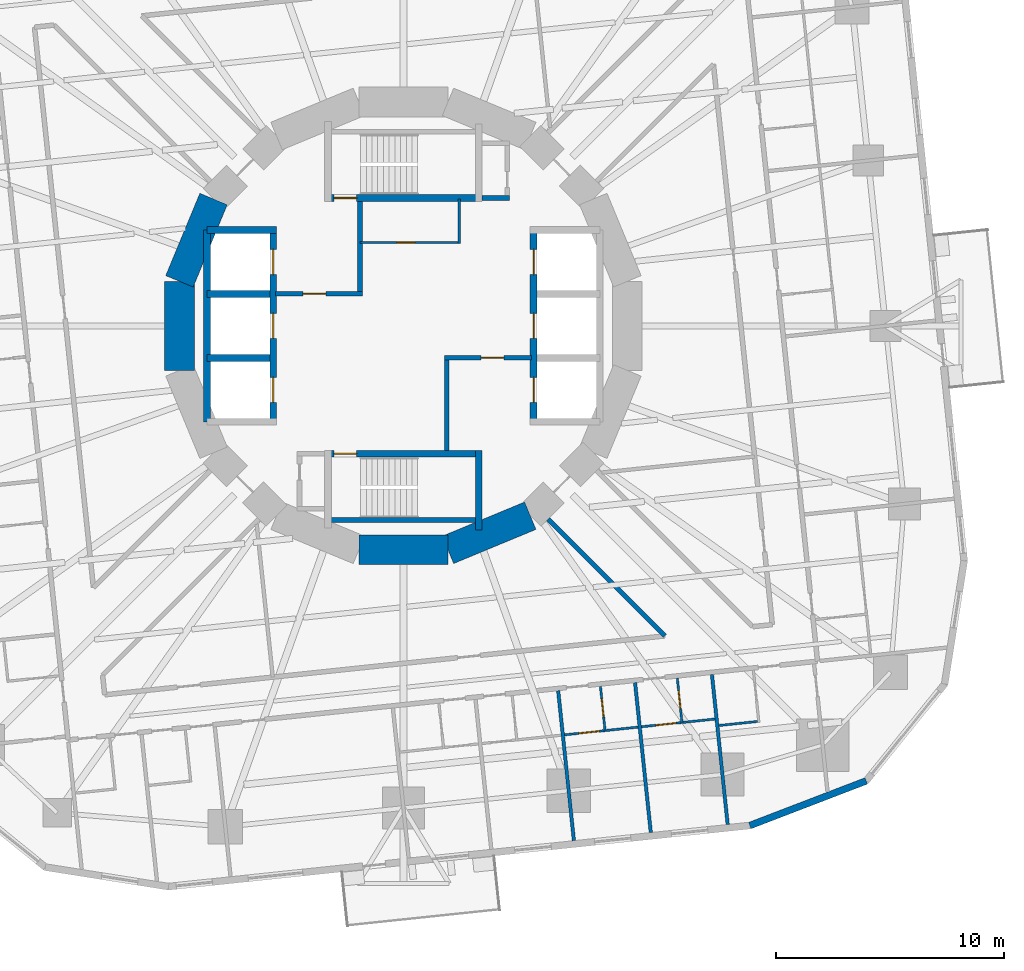
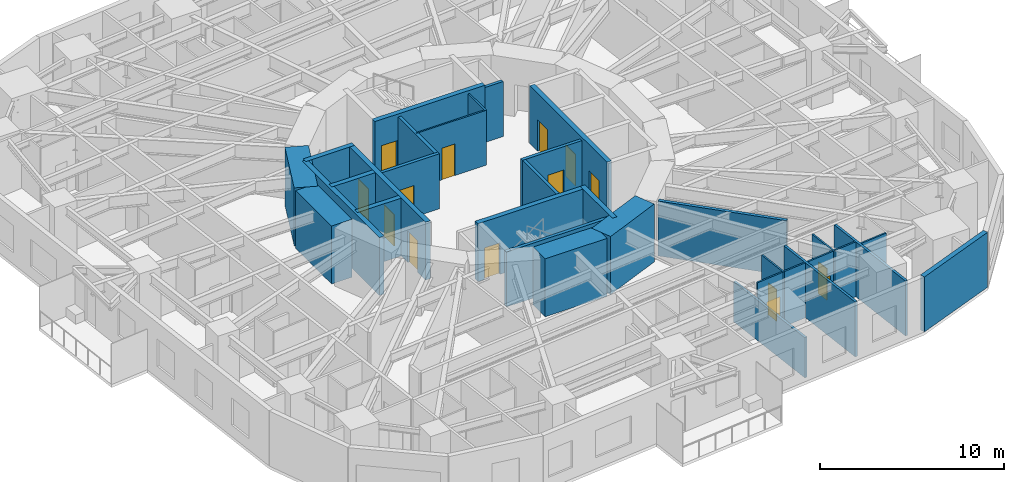
# One storey, part 7 of 13: 33 walls, 15 doors, 15 openings.
"""IFC4 building model written with IfcOpenShell, lengths in metres."""

from ifc_helpers import new_model, si_unit, direction, frame, frame_2d, origin, place, context, subcontext, project, spatial, rectangle, extrude, material, layer, layer_set, type_object, element, fill, save


model = new_model("IFC4")

# Units and contexts
model_context = context("Model", 3, precision=1e-05, world=origin(), true_north=direction((0.0, 1.0)))
body_context = subcontext(model_context, "Body", "Model", "MODEL_VIEW")
ifc_project = project(units=[si_unit("LENGTHUNIT", "METRE"), si_unit("AREAUNIT", "SQUARE_METRE"), si_unit("VOLUMEUNIT", "CUBIC_METRE"), si_unit("PLANEANGLEUNIT", "RADIAN"), si_unit("MASSUNIT", "GRAM", prefix="KILO")], contexts=[model_context])

# Site, building, storey
site_placement = place(None, origin())
site = spatial("IfcSite", under=ifc_project, at=site_placement, CompositionType="ELEMENT")
building_placement = place(site_placement, origin())
building = spatial("IfcBuilding", under=site, at=building_placement, Name="Nakasero Lantern House", CompositionType="ELEMENT")
storey_placement = place(building_placement, frame((0.0, 0.0, 83.60009765625)))
storey = spatial("IfcBuildingStorey", under=building, at=storey_placement, Name="L20", CompositionType="ELEMENT", Elevation=83.60009765625)

# Wall, openings, doors
ifc_material_1 = material(Name="Concrete C50/60", Category="concrete")
ifc_layer_1 = layer(ifc_material_1, 0.300048828125)
ifc_layer_set_1 = layer_set([ifc_layer_1], Name="Core inner wall 300")
wall_type_1 = type_object("IfcWallType", Name="Core inner wall 300", PredefinedType="SHEAR", material=ifc_layer_set_1)
wall_1_placement = place(storey_placement, frame((-5.699951171875, -4.199951171875, 0.0), z_axis=(0.0, 0.0, 1.0), x_axis=(0.0, 1.0, 0.0)))
wall_1 = element("IfcWall", 1, at=wall_1_placement, inside=storey, type_object=wall_type_1, Name="Core inner wall L20 LW", PredefinedType="SHEAR", context=body_context, shape_type="SweptSolid", body=[
    extrude(rectangle(XDim=8.39990234375, YDim=0.300048828125, at=frame_2d((4.199951171875, 0.0))), origin(), (0.0, 0.0, 1.0), 3.849853515625),
])
opening_1_placement = place(wall_1_placement, frame((0.85009765625, 0.0, 0.0)))
opening_1 = element("IfcOpeningElement", 2, at=opening_1_placement, cuts=wall_1, Name="Opening LD", PredefinedType="OPENING", context=body_context, shape_type="SweptSolid", body=[
    extrude(rectangle(XDim=1.10009765625, YDim=2.10009765625, at=frame_2d((0.550048828125, 1.050048828125))), frame((0.0, 0.169921875, 0.0), z_axis=(0.0, -1.0, 0.0), x_axis=(1.0, 0.0, 0.0)), (0.0, 0.0, 1.0), 0.340087890625),
])
opening_2_placement = place(wall_1_placement, frame((3.64990234375, 0.0, 0.0)))
opening_2 = element("IfcOpeningElement", 3, at=opening_2_placement, cuts=wall_1, Name="Opening LD", PredefinedType="OPENING", context=body_context, shape_type="SweptSolid", body=[
    extrude(rectangle(XDim=1.10009765625, YDim=2.10009765625, at=frame_2d((0.550048828125, 1.050048828125))), frame((0.0, 0.169921875, 0.0), z_axis=(0.0, -1.0, 0.0), x_axis=(1.0, 0.0, 0.0)), (0.0, 0.0, 1.0), 0.340087890625),
])
opening_3_placement = place(wall_1_placement, frame((6.449951171875, 0.0, 0.0)))
opening_3 = element("IfcOpeningElement", 4, at=opening_3_placement, cuts=wall_1, Name="Opening LD", PredefinedType="OPENING", context=body_context, shape_type="SweptSolid", body=[
    extrude(rectangle(XDim=1.10009765625, YDim=2.10009765625, at=frame_2d((0.550048828125, 1.050048828125))), frame((0.0, 0.169921875, 0.0), z_axis=(0.0, -1.0, 0.0), x_axis=(1.0, 0.0, 0.0)), (0.0, 0.0, 1.0), 0.340087890625),
])
ifc_material_2 = material(Name="Steel S355", Category="steel")
door_type_1 = type_object("IfcDoorType", Name="Lift landing door E120 1100", OperationType="SLIDING_TO_LEFT", PredefinedType="DOOR", material=ifc_material_2)
door_1_placement = place(opening_1_placement, origin())
door_1 = element("IfcDoor", 5, at=door_1_placement, inside=storey, type_object=door_type_1, Name="Lift landing door LW1", OperationType="SLIDING_TO_LEFT", OverallHeight=2.10009765625, OverallWidth=1.10009765625, PredefinedType="DOOR", context=body_context, shape_type="SweptSolid", body=[
    extrude(rectangle(XDim=1.10009765625, YDim=2.10009765625, at=frame_2d((0.550048828125, 1.050048828125))), frame((0.0, 0.02490234375, 0.0), z_axis=(0.0, -1.0, 0.0), x_axis=(1.0, 0.0, 0.0)), (0.0, 0.0, 1.0), 0.050048828125),
])
fill(opening_1, door_1)
door_2_placement = place(opening_2_placement, origin())
door_2 = element("IfcDoor", 6, at=door_2_placement, inside=storey, type_object=door_type_1, Name="Lift landing door LW2", OperationType="SLIDING_TO_LEFT", OverallHeight=2.10009765625, OverallWidth=1.10009765625, PredefinedType="DOOR", context=body_context, shape_type="SweptSolid", body=[
    extrude(rectangle(XDim=1.10009765625, YDim=2.10009765625, at=frame_2d((0.550048828125, 1.050048828125))), frame((0.0, 0.02490234375, 0.0), z_axis=(0.0, -1.0, 0.0), x_axis=(1.0, 0.0, 0.0)), (0.0, 0.0, 1.0), 0.050048828125),
])
fill(opening_2, door_2)
door_3_placement = place(opening_3_placement, origin())
door_3 = element("IfcDoor", 7, at=door_3_placement, inside=storey, type_object=door_type_1, Name="Lift landing door LW3", OperationType="SLIDING_TO_LEFT", OverallHeight=2.10009765625, OverallWidth=1.10009765625, PredefinedType="DOOR", context=body_context, shape_type="SweptSolid", body=[
    extrude(rectangle(XDim=1.10009765625, YDim=2.10009765625, at=frame_2d((0.550048828125, 1.050048828125))), frame((0.0, 0.02490234375, 0.0), z_axis=(0.0, -1.0, 0.0), x_axis=(1.0, 0.0, 0.0)), (0.0, 0.0, 1.0), 0.050048828125),
])
fill(opening_3, door_3)

wall_2_placement = place(storey_placement, frame((5.699951171875, -4.199951171875, 0.0), z_axis=(0.0, 0.0, 1.0), x_axis=(0.0, 1.0, 0.0)))
wall_2 = element("IfcWall", 8, at=wall_2_placement, inside=storey, type_object=wall_type_1, Name="Core inner wall L20 LE", PredefinedType="SHEAR", context=body_context, shape_type="SweptSolid", body=[
    extrude(rectangle(XDim=8.39990234375, YDim=0.300048828125, at=frame_2d((4.199951171875, 0.0))), origin(), (0.0, 0.0, 1.0), 3.849853515625),
])
opening_4_placement = place(wall_2_placement, frame((0.85009765625, 0.0, 0.0)))
opening_4 = element("IfcOpeningElement", 9, at=opening_4_placement, cuts=wall_2, Name="Opening LD", PredefinedType="OPENING", context=body_context, shape_type="SweptSolid", body=[
    extrude(rectangle(XDim=1.10009765625, YDim=2.10009765625, at=frame_2d((0.550048828125, 1.050048828125))), frame((0.0, 0.169921875, 0.0), z_axis=(0.0, -1.0, 0.0), x_axis=(1.0, 0.0, 0.0)), (0.0, 0.0, 1.0), 0.340087890625),
])
opening_5_placement = place(wall_2_placement, frame((3.64990234375, 0.0, 0.0)))
opening_5 = element("IfcOpeningElement", 10, at=opening_5_placement, cuts=wall_2, Name="Opening LD", PredefinedType="OPENING", context=body_context, shape_type="SweptSolid", body=[
    extrude(rectangle(XDim=1.10009765625, YDim=2.10009765625, at=frame_2d((0.550048828125, 1.050048828125))), frame((0.0, 0.169921875, 0.0), z_axis=(0.0, -1.0, 0.0), x_axis=(1.0, 0.0, 0.0)), (0.0, 0.0, 1.0), 0.340087890625),
])
opening_6_placement = place(wall_2_placement, frame((6.449951171875, 0.0, 0.0)))
opening_6 = element("IfcOpeningElement", 11, at=opening_6_placement, cuts=wall_2, Name="Opening LD", PredefinedType="OPENING", context=body_context, shape_type="SweptSolid", body=[
    extrude(rectangle(XDim=1.10009765625, YDim=2.10009765625, at=frame_2d((0.550048828125, 1.050048828125))), frame((0.0, 0.169921875, 0.0), z_axis=(0.0, -1.0, 0.0), x_axis=(1.0, 0.0, 0.0)), (0.0, 0.0, 1.0), 0.340087890625),
])
door_4_placement = place(opening_4_placement, origin())
door_4 = element("IfcDoor", 12, at=door_4_placement, inside=storey, type_object=door_type_1, Name="Lift landing door LE1", OperationType="SLIDING_TO_LEFT", OverallHeight=2.10009765625, OverallWidth=1.10009765625, PredefinedType="DOOR", context=body_context, shape_type="SweptSolid", body=[
    extrude(rectangle(XDim=1.10009765625, YDim=2.10009765625, at=frame_2d((0.550048828125, 1.050048828125))), frame((0.0, 0.02490234375, 0.0), z_axis=(0.0, -1.0, 0.0), x_axis=(1.0, 0.0, 0.0)), (0.0, 0.0, 1.0), 0.050048828125),
])
fill(opening_4, door_4)
door_5_placement = place(opening_5_placement, origin())
door_5 = element("IfcDoor", 13, at=door_5_placement, inside=storey, type_object=door_type_1, Name="Lift landing door LE2", OperationType="SLIDING_TO_LEFT", OverallHeight=2.10009765625, OverallWidth=1.10009765625, PredefinedType="DOOR", context=body_context, shape_type="SweptSolid", body=[
    extrude(rectangle(XDim=1.10009765625, YDim=2.10009765625, at=frame_2d((0.550048828125, 1.050048828125))), frame((0.0, 0.02490234375, 0.0), z_axis=(0.0, -1.0, 0.0), x_axis=(1.0, 0.0, 0.0)), (0.0, 0.0, 1.0), 0.050048828125),
])
fill(opening_5, door_5)
door_6_placement = place(opening_6_placement, origin())
door_6 = element("IfcDoor", 14, at=door_6_placement, inside=storey, type_object=door_type_1, Name="Lift landing door LE3", OperationType="SLIDING_TO_LEFT", OverallHeight=2.10009765625, OverallWidth=1.10009765625, PredefinedType="DOOR", context=body_context, shape_type="SweptSolid", body=[
    extrude(rectangle(XDim=1.10009765625, YDim=2.10009765625, at=frame_2d((0.550048828125, 1.050048828125))), frame((0.0, 0.02490234375, 0.0), z_axis=(0.0, -1.0, 0.0), x_axis=(1.0, 0.0, 0.0)), (0.0, 0.0, 1.0), 0.050048828125),
])
fill(opening_6, door_6)

# Walls
wall_3_placement = place(storey_placement, frame((-8.60009765625, 4.199951171875, 0.0), z_axis=(0.0, 0.0, 1.0), x_axis=(1.0, 0.0, 0.0)))
element("IfcWall", 15, at=wall_3_placement, inside=storey, type_object=wall_type_1, Name="Core inner wall L20 LWN", PredefinedType="SHEAR", context=body_context, shape_type="SweptSolid", body=[
    extrude(rectangle(XDim=3.050048828125, YDim=0.300048828125, at=frame_2d((1.52490234375, 0.0))), origin(), (0.0, 0.0, 1.0), 3.849853515625),
])
wall_4_placement = place(storey_placement, frame((-8.60009765625, -4.199951171875, 0.0), z_axis=(0.0, 0.0, 1.0), x_axis=(0.0, 1.0, 0.0)))
element("IfcWall", 16, at=wall_4_placement, inside=storey, type_object=wall_type_1, Name="Core inner wall L20 LWB", PredefinedType="SHEAR", context=body_context, shape_type="SweptSolid", body=[
    extrude(rectangle(XDim=8.39990234375, YDim=0.300048828125, at=frame_2d((4.199951171875, 0.0))), origin(), (0.0, 0.0, 1.0), 3.849853515625),
])
for number, where, z_axis, x_axis, name in (
    (17, (-8.60009765625, -1.39990234375, 0.0), (0.0, 0.0, 1.0), (1.0, 0.0, 0.0), "Core inner wall L20 LW1"),
    (18, (-8.60009765625, 1.39990234375, 0.0), (0.0, 0.0, 1.0), (1.0, 0.0, 0.0), "Core inner wall L20 LW2"),
):
    element("IfcWall", number, at=place(storey_placement, frame(where, z_axis=z_axis, x_axis=x_axis)), inside=storey, type_object=wall_type_1, Name=name, PredefinedType="SHEAR", context=body_context, shape_type="SweptSolid", body=[
        extrude(rectangle(XDim=2.75, YDim=0.300048828125, at=frame_2d((1.375, 0.0))), origin(), (0.0, 0.0, 1.0), 3.849853515625),
    ])

# Wall, opening, door
wall_5_placement = place(storey_placement, frame((-3.449951171875, 5.60009765625, 0.0), z_axis=(0.0, 0.0, 1.0), x_axis=(1.0, 0.0, 0.0)))
wall_5 = element("IfcWall", 19, at=wall_5_placement, inside=storey, type_object=wall_type_1, Name="Core inner wall L20 SN", PredefinedType="SHEAR", context=body_context, shape_type="SweptSolid", body=[
    extrude(rectangle(XDim=6.89990234375, YDim=0.300048828125, at=frame_2d((3.449951171875, 0.0))), origin(), (0.0, 0.0, 1.0), 3.849853515625),
])
opening_7_placement = place(wall_5_placement, frame((0.39990234375, 0.0, 0.0)))
opening_7 = element("IfcOpeningElement", 20, at=opening_7_placement, cuts=wall_5, Name="Opening D05", PredefinedType="OPENING", context=body_context, shape_type="SweptSolid", body=[
    extrude(rectangle(XDim=1.0, YDim=2.10009765625, at=frame_2d((0.5, 1.050048828125))), frame((0.0, 0.169921875, 0.0), z_axis=(0.0, -1.0, 0.0), x_axis=(1.0, 0.0, 0.0)), (0.0, 0.0, 1.0), 0.340087890625),
])
ifc_material_3 = material(Name="Timber C24", Category="wood")
door_type_2 = type_object("IfcDoorType", Name="Core door FD60S 1000", OperationType="SINGLE_SWING_LEFT", PredefinedType="DOOR", material=ifc_material_3)
door_7_placement = place(opening_7_placement, origin())
door_7 = element("IfcDoor", 21, at=door_7_placement, inside=storey, type_object=door_type_2, Name="Door L20 D-ST1", OperationType="SINGLE_SWING_LEFT", OverallHeight=2.10009765625, OverallWidth=1.0, PredefinedType="DOOR", context=body_context, shape_type="SweptSolid", body=[
    extrude(rectangle(XDim=1.0, YDim=2.10009765625, at=frame_2d((0.5, 1.050048828125))), frame((0.0, 0.02490234375, 0.0), z_axis=(0.0, -1.0, 0.0), x_axis=(1.0, 0.0, 0.0)), (0.0, 0.0, 1.0), 0.050048828125),
])
fill(opening_7, door_7)

wall_6_placement = place(storey_placement, frame((-3.449951171875, -5.60009765625, 0.0), z_axis=(0.0, 0.0, 1.0), x_axis=(1.0, 0.0, 0.0)))
wall_6 = element("IfcWall", 22, at=wall_6_placement, inside=storey, type_object=wall_type_1, Name="Core inner wall L20 SS", PredefinedType="SHEAR", context=body_context, shape_type="SweptSolid", body=[
    extrude(rectangle(XDim=6.89990234375, YDim=0.300048828125, at=frame_2d((3.449951171875, 0.0))), origin(), (0.0, 0.0, 1.0), 3.849853515625),
])
opening_8_placement = place(wall_6_placement, frame((0.39990234375, 0.0, 0.0)))
opening_8 = element("IfcOpeningElement", 23, at=opening_8_placement, cuts=wall_6, Name="Opening D05", PredefinedType="OPENING", context=body_context, shape_type="SweptSolid", body=[
    extrude(rectangle(XDim=1.0, YDim=2.10009765625, at=frame_2d((0.5, 1.050048828125))), frame((0.0, 0.169921875, 0.0), z_axis=(0.0, -1.0, 0.0), x_axis=(1.0, 0.0, 0.0)), (0.0, 0.0, 1.0), 0.340087890625),
])
door_8_placement = place(opening_8_placement, origin())
door_8 = element("IfcDoor", 24, at=door_8_placement, inside=storey, type_object=door_type_2, Name="Door L20 D-ST2", OperationType="SINGLE_SWING_LEFT", OverallHeight=2.10009765625, OverallWidth=1.0, PredefinedType="DOOR", context=body_context, shape_type="SweptSolid", body=[
    extrude(rectangle(XDim=1.0, YDim=2.10009765625, at=frame_2d((0.5, 1.050048828125))), frame((0.0, 0.02490234375, 0.0), z_axis=(0.0, -1.0, 0.0), x_axis=(1.0, 0.0, 0.0)), (0.0, 0.0, 1.0), 0.050048828125),
])
fill(opening_8, door_8)

# Wall
wall_7_placement = place(storey_placement, frame((3.300048828125, -5.449951171875, 0.0), z_axis=(0.0, 0.0, 1.0), x_axis=(0.0, -1.0, 0.0)))
element("IfcWall", 25, at=wall_7_placement, inside=storey, type_object=wall_type_1, Name="Core inner wall L20 SSE", PredefinedType="SHEAR", context=body_context, shape_type="SweptSolid", body=[
    extrude(rectangle(XDim=3.5, YDim=0.300048828125, at=frame_2d((1.75, 0.0))), origin(), (0.0, 0.0, 1.0), 3.849853515625),
])

# Wall, opening, door
ifc_material_4 = material(Name="Blockwork", Category="masonry")
ifc_layer_2 = layer(ifc_material_4, 0.10009765625)
ifc_layer_set_2 = layer_set([ifc_layer_2], Name="Core room wall 100")
wall_type_2 = type_object("IfcWallType", Name="Core room wall 100", PredefinedType="PARTITIONING", material=ifc_layer_set_2)
wall_8_placement = place(storey_placement, frame((-1.89990234375, 3.64990234375, 0.0), z_axis=(0.0, 0.0, 1.0), x_axis=(1.0, 0.0, 0.0)))
wall_8 = element("IfcWall", 26, at=wall_8_placement, inside=storey, type_object=wall_type_2, Name="Core room wall L20 CR-NES", PredefinedType="PARTITIONING", context=body_context, shape_type="SweptSolid", body=[
    extrude(rectangle(XDim=4.39990234375, YDim=0.10009765625, at=frame_2d((2.199951171875, 0.0))), origin(), (0.0, 0.0, 1.0), 3.64990234375),
])
opening_9_placement = place(wall_8_placement, frame((1.60009765625, 0.0, 0.0)))
opening_9 = element("IfcOpeningElement", 27, at=opening_9_placement, cuts=wall_8, Name="Opening D15", PredefinedType="OPENING", context=body_context, shape_type="SweptSolid", body=[
    extrude(rectangle(XDim=0.800048828125, YDim=2.10009765625, at=frame_2d((0.39990234375, 1.050048828125))), frame((0.0, 0.070068359375, 0.0), z_axis=(0.0, -1.0, 0.0), x_axis=(1.0, 0.0, 0.0)), (0.0, 0.0, 1.0), 0.14013671875),
])
ifc_material_5 = material(Name="Timber C24", Category="wood")
door_type_3 = type_object("IfcDoorType", Name="Cleaner's store door FD30S 800", OperationType="SINGLE_SWING_LEFT", PredefinedType="DOOR", material=ifc_material_5)
door_9_placement = place(opening_9_placement, origin())
door_9 = element("IfcDoor", 28, at=door_9_placement, inside=storey, type_object=door_type_3, Name="Door L20 D-CR-NE", OperationType="SINGLE_SWING_LEFT", OverallHeight=2.10009765625, OverallWidth=0.800048828125, PredefinedType="DOOR", context=body_context, shape_type="SweptSolid", body=[
    extrude(rectangle(XDim=0.800048828125, YDim=2.10009765625, at=frame_2d((0.39990234375, 1.050048828125))), frame((0.0, 0.02490234375, 0.0), z_axis=(0.0, -1.0, 0.0), x_axis=(1.0, 0.0, 0.0)), (0.0, 0.0, 1.0), 0.050048828125),
])
fill(opening_9, door_9)

# Walls
wall_9_placement = place(storey_placement, frame((2.449951171875, 3.60009765625, 0.0), z_axis=(0.0, 0.0, 1.0), x_axis=(0.0, 1.0, 0.0)))
element("IfcWall", 29, at=wall_9_placement, inside=storey, type_object=wall_type_2, Name="Core room wall L20 CR-NEE", PredefinedType="PARTITIONING", context=body_context, shape_type="SweptSolid", body=[
    extrude(rectangle(XDim=1.949951171875, YDim=0.10009765625, at=frame_2d((0.97509765625, 0.0))), origin(), (0.0, 0.0, 1.0), 3.64990234375),
])
ifc_material_6 = material(Name="Concrete C50/60", Category="concrete")
ifc_layer_3 = layer(ifc_material_6, 1.300048828125)
ifc_layer_set_3 = layer_set([ifc_layer_3], Name="Core wall 1300")
wall_type_3 = type_object("IfcWallType", Name="Core wall 1300", PredefinedType="SHEAR", material=ifc_layer_set_3)
for number, where, z_axis, x_axis, name in (
    (30, (-8.314697265625, 5.5556640625, 0.0), (0.0, 0.0, 1.0), (-0.382690736062, -0.923876507187, 0.0), "Core wall L20 facet 7"),
    (31, (-9.807861328125, 1.950927734375, 0.0), (0.0, 0.0, 1.0), (0.0, -1.0, 0.0), "Core wall L20 facet 8"),
    (32, (-1.950927734375, -9.807861328125, 0.0), (0.0, 0.0, 1.0), (1.0, 0.0, 0.0), "Core wall L20 facet 12"),
    (33, (1.950927734375, -9.807861328125, 0.0), (0.0, 0.0, 1.0), (0.923876507187, 0.382690736062, 0.0), "Core wall L20 facet 13"),
):
    element("IfcWall", number, at=place(storey_placement, frame(where, z_axis=z_axis, x_axis=x_axis)), inside=storey, type_object=wall_type_3, Name=name, PredefinedType="SHEAR", context=body_context, shape_type="SweptSolid", body=[
        extrude(rectangle(XDim=3.90185546875, YDim=1.300048828125, at=frame_2d((1.950927734375, 0.0))), origin(), (0.0, 0.0, 1.0), 3.849853515625),
    ])
ifc_material_7 = material(Name="Blockwork", Category="masonry")
ifc_layer_4 = layer(ifc_material_7, 0.199951171875)
ifc_layer_set_4 = layer_set([ifc_layer_4], Name="Corridor wall 200")
wall_type_4 = type_object("IfcWallType", Name="Corridor wall 200", PredefinedType="PARTITIONING", material=ifc_layer_set_4)
wall_10_placement = place(storey_placement, frame((6.334228515625, -8.45556640625, 0.0), z_axis=(0.0, 0.0, 1.0), x_axis=(0.707106781187, -0.707106781187, 0.0)))
element("IfcWall", 34, at=wall_10_placement, inside=storey, type_object=wall_type_4, Name="Corridor wall L20 PS14b", PredefinedType="PARTITIONING", context=body_context, shape_type="SweptSolid", body=[
    extrude(rectangle(XDim=7.24267578125, YDim=0.199951171875, at=frame_2d((3.621337890625, 0.0))), origin(), (0.0, 0.0, 1.0), 3.64990234375),
])

# Wall, opening, door
ifc_material_8 = material(Name="Blockwork", Category="masonry")
ifc_layer_5 = layer(ifc_material_8, 0.10009765625)
ifc_layer_set_5 = layer_set([ifc_layer_5], Name="En-suite wall 100")
wall_type_5 = type_object("IfcWallType", Name="En-suite wall 100", PredefinedType="PARTITIONING", material=ifc_layer_set_5)
wall_11_placement = place(storey_placement, frame((8.627685546875, -15.78466796875, 0.0), z_axis=(0.0, 0.0, 1.0), x_axis=(0.104614886044, -0.994512808172, 0.0)))
wall_11 = element("IfcWall", 35, at=wall_11_placement, inside=storey, type_object=wall_type_5, Name="En-suite wall L20 ES3-06", PredefinedType="PARTITIONING", context=body_context, shape_type="SweptSolid", body=[
    extrude(rectangle(XDim=2.0, YDim=0.10009765625, at=frame_2d((1.0, 0.0))), origin(), (0.0, 0.0, 1.0), 3.64990234375),
])
opening_10_placement = place(wall_11_placement, frame((0.550048828125, 0.0, 0.0)))
opening_10 = element("IfcOpeningElement", 36, at=opening_10_placement, cuts=wall_11, Name="Opening D02", PredefinedType="OPENING", context=body_context, shape_type="SweptSolid", body=[
    extrude(rectangle(XDim=0.800048828125, YDim=2.10009765625, at=frame_2d((0.39990234375, 1.050048828125))), frame((0.0, 0.070068359375, 0.0), z_axis=(0.0, -1.0, 0.0), x_axis=(1.0, 0.0, 0.0)), (0.0, 0.0, 1.0), 0.14013671875),
])
ifc_material_9 = material(Name="Timber C24", Category="wood")
door_type_4 = type_object("IfcDoorType", Name="En-suite door 800", OperationType="SINGLE_SWING_RIGHT", PredefinedType="DOOR", material=ifc_material_9)
door_10_placement = place(opening_10_placement, origin())
door_10 = element("IfcDoor", 37, at=door_10_placement, inside=storey, type_object=door_type_4, Name="Door L20 DE3-06", OperationType="SINGLE_SWING_LEFT", OverallHeight=2.10009765625, OverallWidth=0.800048828125, PredefinedType="DOOR", context=body_context, shape_type="SweptSolid", body=[
    extrude(rectangle(XDim=0.800048828125, YDim=2.10009765625, at=frame_2d((0.39990234375, 1.050048828125))), frame((0.0, 0.02490234375, 0.0), z_axis=(0.0, -1.0, 0.0), x_axis=(1.0, 0.0, 0.0)), (0.0, 0.0, 1.0), 0.050048828125),
])
fill(opening_10, door_10)

# Wall
wall_12_placement = place(storey_placement, frame((8.88134765625, -17.71875, 0.0), z_axis=(0.0, 0.0, 1.0), x_axis=(0.994511184598, 0.104630319263, 0.0)))
element("IfcWall", 38, at=wall_12_placement, inside=storey, type_object=wall_type_5, Name="En-suite wall L20 EE3-06", PredefinedType="PARTITIONING", context=body_context, shape_type="SweptSolid", body=[
    extrude(rectangle(XDim=1.39990234375, YDim=0.10009765625, at=frame_2d((0.699951171875, 0.0))), origin(), (0.0, 0.0, 1.0), 3.64990234375),
])

# Wall, opening, door
wall_13_placement = place(storey_placement, frame((11.994873046875, -15.4306640625, 0.0), z_axis=(0.0, 0.0, 1.0), x_axis=(0.104494148666, -0.99452550138, 0.0)))
wall_13 = element("IfcWall", 39, at=wall_13_placement, inside=storey, type_object=wall_type_5, Name="En-suite wall L20 ES3-07", PredefinedType="PARTITIONING", context=body_context, shape_type="SweptSolid", body=[
    extrude(rectangle(XDim=2.0, YDim=0.10009765625, at=frame_2d((1.0, 0.0))), origin(), (0.0, 0.0, 1.0), 3.64990234375),
])
opening_11_placement = place(wall_13_placement, frame((0.550048828125, 0.0, 0.0)))
opening_11 = element("IfcOpeningElement", 40, at=opening_11_placement, cuts=wall_13, Name="Opening D02", PredefinedType="OPENING", context=body_context, shape_type="SweptSolid", body=[
    extrude(rectangle(XDim=0.800048828125, YDim=2.10009765625, at=frame_2d((0.39990234375, 1.050048828125))), frame((0.0, 0.070068359375, 0.0), z_axis=(0.0, -1.0, 0.0), x_axis=(1.0, 0.0, 0.0)), (0.0, 0.0, 1.0), 0.14013671875),
])
door_11_placement = place(opening_11_placement, origin())
door_11 = element("IfcDoor", 41, at=door_11_placement, inside=storey, type_object=door_type_4, Name="Door L20 DE3-07", OperationType="SINGLE_SWING_LEFT", OverallHeight=2.10009765625, OverallWidth=0.800048828125, PredefinedType="DOOR", context=body_context, shape_type="SweptSolid", body=[
    extrude(rectangle(XDim=0.800048828125, YDim=2.10009765625, at=frame_2d((0.39990234375, 1.050048828125))), frame((0.0, 0.02490234375, 0.0), z_axis=(0.0, -1.0, 0.0), x_axis=(1.0, 0.0, 0.0)), (0.0, 0.0, 1.0), 0.050048828125),
])
fill(opening_11, door_11)

# Walls
wall_14_placement = place(storey_placement, frame((12.248291015625, -17.36474609375, 0.0), z_axis=(0.0, 0.0, 1.0), x_axis=(0.994529315664, 0.104457839748, 0.0)))
element("IfcWall", 42, at=wall_14_placement, inside=storey, type_object=wall_type_5, Name="En-suite wall L20 EE3-07", PredefinedType="PARTITIONING", context=body_context, shape_type="SweptSolid", body=[
    extrude(rectangle(XDim=1.39990234375, YDim=0.10009765625, at=frame_2d((0.699951171875, 0.0))), origin(), (0.0, 0.0, 1.0), 3.64990234375),
])
wall_15_placement = place(storey_placement, frame((13.8212890625, -17.501220703125, 0.0), z_axis=(0.0, 0.0, 1.0), x_axis=(0.994519608382, 0.104550220202, 0.0)))
element("IfcWall", 43, at=wall_15_placement, inside=storey, type_object=wall_type_5, Name="En-suite wall L20 EE3-08", PredefinedType="PARTITIONING", context=body_context, shape_type="SweptSolid", body=[
    extrude(rectangle(XDim=1.699951171875, YDim=0.10009765625, at=frame_2d((0.85009765625, 0.0))), origin(), (0.0, 0.0, 1.0), 3.64990234375),
])

# Wall, opening, door
wall_16_placement = place(storey_placement, frame((7.055908203125, -17.91064453125, 0.0), z_axis=(0.0, 0.0, 1.0), x_axis=(0.99452316669, 0.10451636674, 0.0)))
wall_16 = element("IfcWall", 44, at=wall_16_placement, inside=storey, type_object=wall_type_5, Name="En-suite wall L20 EL3-06", PredefinedType="PARTITIONING", context=body_context, shape_type="SweptSolid", body=[
    extrude(rectangle(XDim=1.735595703125, YDim=0.10009765625, at=frame_2d((0.86767578125, 0.0))), origin(), (0.0, 0.0, 1.0), 3.64990234375),
])
opening_12_placement = place(wall_16_placement, frame((0.635498046875, 0.0, 0.0)))
opening_12 = element("IfcOpeningElement", 45, at=opening_12_placement, cuts=wall_16, Name="Opening D17", PredefinedType="OPENING", context=body_context, shape_type="SweptSolid", body=[
    extrude(rectangle(XDim=0.89990234375, YDim=2.10009765625, at=frame_2d((0.449951171875, 1.050048828125))), frame((0.0, 0.070068359375, 0.0), z_axis=(0.0, -1.0, 0.0), x_axis=(1.0, 0.0, 0.0)), (0.0, 0.0, 1.0), 0.14013671875),
])
ifc_material_10 = material(Name="Timber C24", Category="wood")
door_type_5 = type_object("IfcDoorType", Name="Bedroom door FD30S 900", OperationType="SINGLE_SWING_LEFT", PredefinedType="DOOR", material=ifc_material_10)
door_12_placement = place(opening_12_placement, origin())
door_12 = element("IfcDoor", 46, at=door_12_placement, inside=storey, type_object=door_type_5, Name="Door L20 DL3-06", OperationType="SINGLE_SWING_RIGHT", OverallHeight=2.10009765625, OverallWidth=0.89990234375, PredefinedType="DOOR", context=body_context, shape_type="SweptSolid", body=[
    extrude(rectangle(XDim=0.89990234375, YDim=2.10009765625, at=frame_2d((0.449951171875, 1.050048828125))), frame((0.0, 0.02490234375, 0.0), z_axis=(0.0, -1.0, 0.0), x_axis=(1.0, 0.0, 0.0)), (0.0, 0.0, 1.0), 0.050048828125),
])
fill(opening_12, door_12)

wall_17_placement = place(storey_placement, frame((10.4228515625, -17.556640625, 0.0), z_axis=(0.0, 0.0, 1.0), x_axis=(0.99452316669, 0.10451636674, 0.0)))
wall_17 = element("IfcWall", 47, at=wall_17_placement, inside=storey, type_object=wall_type_5, Name="En-suite wall L20 EL3-07", PredefinedType="PARTITIONING", context=body_context, shape_type="SweptSolid", body=[
    extrude(rectangle(XDim=1.735595703125, YDim=0.10009765625, at=frame_2d((0.86767578125, 0.0))), origin(), (0.0, 0.0, 1.0), 3.64990234375),
])
opening_13_placement = place(wall_17_placement, frame((0.635498046875, 0.0, 0.0)))
opening_13 = element("IfcOpeningElement", 48, at=opening_13_placement, cuts=wall_17, Name="Opening D17", PredefinedType="OPENING", context=body_context, shape_type="SweptSolid", body=[
    extrude(rectangle(XDim=0.89990234375, YDim=2.10009765625, at=frame_2d((0.449951171875, 1.050048828125))), frame((0.0, 0.070068359375, 0.0), z_axis=(0.0, -1.0, 0.0), x_axis=(1.0, 0.0, 0.0)), (0.0, 0.0, 1.0), 0.14013671875),
])
door_13_placement = place(opening_13_placement, origin())
door_13 = element("IfcDoor", 49, at=door_13_placement, inside=storey, type_object=door_type_5, Name="Door L20 DL3-07", OperationType="SINGLE_SWING_RIGHT", OverallHeight=2.10009765625, OverallWidth=0.89990234375, PredefinedType="DOOR", context=body_context, shape_type="SweptSolid", body=[
    extrude(rectangle(XDim=0.89990234375, YDim=2.10009765625, at=frame_2d((0.449951171875, 1.050048828125))), frame((0.0, 0.02490234375, 0.0), z_axis=(0.0, -1.0, 0.0), x_axis=(1.0, 0.0, 0.0)), (0.0, 0.0, 1.0), 0.050048828125),
])
fill(opening_13, door_13)

# Wall
ifc_material_11 = material(Name="Aluminium rainscreen on blockwork", Category="masonry")
ifc_layer_6 = layer(ifc_material_11, 0.300048828125)
ifc_layer_set_6 = layer_set([ifc_layer_6], Name="Facade wall 300")
wall_type_6 = type_object("IfcWallType", Name="Facade wall 300", PredefinedType="SOLIDWALL", material=ifc_layer_set_6)
wall_18_placement = place(storey_placement, frame((15.170654296875, -21.884033203125, 0.0), z_axis=(0.0, 0.0, 1.0), x_axis=(0.933583906079, 0.358358884793, 0.0)))
element("IfcWall", 50, at=wall_18_placement, inside=storey, type_object=wall_type_6, Name="Facade wall L20 FW3C1", PredefinedType="SOLIDWALL", context=body_context, shape_type="SweptSolid", body=[
    extrude(rectangle(XDim=5.461181640625, YDim=0.300048828125, at=frame_2d((2.73046875, 0.0))), origin(), (0.0, 0.0, 1.0), 3.64990234375),
])

# Wall, opening, door
ifc_material_12 = material(Name="Blockwork", Category="masonry")
ifc_layer_7 = layer(ifc_material_12, 0.199951171875)
ifc_layer_set_7 = layer_set([ifc_layer_7], Name="Fire lobby wall 200")
wall_type_7 = type_object("IfcWallType", Name="Fire lobby wall 200", PredefinedType="PARTITIONING", material=ifc_layer_set_7)
wall_19_placement = place(storey_placement, frame((-5.60009765625, 1.39990234375, 0.0), z_axis=(0.0, 0.0, 1.0), x_axis=(1.0, 0.0, 0.0)))
wall_19 = element("IfcWall", 51, at=wall_19_placement, inside=storey, type_object=wall_type_7, Name="Fire lobby wall L20 W-FL1S", PredefinedType="PARTITIONING", context=body_context, shape_type="SweptSolid", body=[
    extrude(rectangle(XDim=3.800048828125, YDim=0.199951171875, at=frame_2d((1.89990234375, 0.0))), origin(), (0.0, 0.0, 1.0), 3.64990234375),
])
opening_14_placement = place(wall_19_placement, frame((1.199951171875, 0.0, 0.0)))
opening_14 = element("IfcOpeningElement", 52, at=opening_14_placement, cuts=wall_19, Name="Opening D05", PredefinedType="OPENING", context=body_context, shape_type="SweptSolid", body=[
    extrude(rectangle(XDim=1.0, YDim=2.10009765625, at=frame_2d((0.5, 1.050048828125))), frame((0.0, 0.119873046875, 0.0), z_axis=(0.0, -1.0, 0.0), x_axis=(1.0, 0.0, 0.0)), (0.0, 0.0, 1.0), 0.239990234375),
])
door_14_placement = place(opening_14_placement, origin())
door_14 = element("IfcDoor", 53, at=door_14_placement, inside=storey, type_object=door_type_2, Name="Door L20 D-FL1", OperationType="SINGLE_SWING_LEFT", OverallHeight=2.10009765625, OverallWidth=1.0, PredefinedType="DOOR", context=body_context, shape_type="SweptSolid", body=[
    extrude(rectangle(XDim=1.0, YDim=2.10009765625, at=frame_2d((0.5, 1.050048828125))), frame((0.0, 0.02490234375, 0.0), z_axis=(0.0, -1.0, 0.0), x_axis=(1.0, 0.0, 0.0)), (0.0, 0.0, 1.0), 0.050048828125),
])
fill(opening_14, door_14)

# Wall
wall_20_placement = place(storey_placement, frame((-1.89990234375, 1.5, 0.0), z_axis=(0.0, 0.0, 1.0), x_axis=(0.0, 1.0, 0.0)))
element("IfcWall", 54, at=wall_20_placement, inside=storey, type_object=wall_type_7, Name="Fire lobby wall L20 W-FL1E", PredefinedType="PARTITIONING", context=body_context, shape_type="SweptSolid", body=[
    extrude(rectangle(XDim=3.949951171875, YDim=0.199951171875, at=frame_2d((1.97509765625, 0.0))), origin(), (0.0, 0.0, 1.0), 3.64990234375),
])

# Wall, opening, door
wall_21_placement = place(storey_placement, frame((5.60009765625, -1.39990234375, 0.0), z_axis=(0.0, 0.0, 1.0), x_axis=(-1.0, 0.0, 0.0)))
wall_21 = element("IfcWall", 55, at=wall_21_placement, inside=storey, type_object=wall_type_7, Name="Fire lobby wall L20 W-FL2N", PredefinedType="PARTITIONING", context=body_context, shape_type="SweptSolid", body=[
    extrude(rectangle(XDim=3.800048828125, YDim=0.199951171875, at=frame_2d((1.89990234375, 0.0))), origin(), (0.0, 0.0, 1.0), 3.64990234375),
])
opening_15_placement = place(wall_21_placement, frame((1.199951171875, 0.0, 0.0)))
opening_15 = element("IfcOpeningElement", 56, at=opening_15_placement, cuts=wall_21, Name="Opening D05", PredefinedType="OPENING", context=body_context, shape_type="SweptSolid", body=[
    extrude(rectangle(XDim=1.0, YDim=2.10009765625, at=frame_2d((0.5, 1.050048828125))), frame((0.0, 0.119873046875, 0.0), z_axis=(0.0, -1.0, 0.0), x_axis=(1.0, 0.0, 0.0)), (0.0, 0.0, 1.0), 0.239990234375),
])
door_15_placement = place(opening_15_placement, origin())
door_15 = element("IfcDoor", 57, at=door_15_placement, inside=storey, type_object=door_type_2, Name="Door L20 D-FL2", OperationType="SINGLE_SWING_LEFT", OverallHeight=2.10009765625, OverallWidth=1.0, PredefinedType="DOOR", context=body_context, shape_type="SweptSolid", body=[
    extrude(rectangle(XDim=1.0, YDim=2.10009765625, at=frame_2d((0.5, 1.050048828125))), frame((0.0, 0.02490234375, 0.0), z_axis=(0.0, -1.0, 0.0), x_axis=(1.0, 0.0, 0.0)), (0.0, 0.0, 1.0), 0.050048828125),
])
fill(opening_15, door_15)

# Walls
wall_22_placement = place(storey_placement, frame((1.89990234375, -1.5, 0.0), z_axis=(0.0, 0.0, 1.0), x_axis=(0.0, -1.0, 0.0)))
element("IfcWall", 58, at=wall_22_placement, inside=storey, type_object=wall_type_7, Name="Fire lobby wall L20 W-FL2W", PredefinedType="PARTITIONING", context=body_context, shape_type="SweptSolid", body=[
    extrude(rectangle(XDim=3.949951171875, YDim=0.199951171875, at=frame_2d((1.97509765625, 0.0))), origin(), (0.0, 0.0, 1.0), 3.64990234375),
])
wall_23_placement = place(storey_placement, frame((3.449951171875, 5.60009765625, 0.0), z_axis=(0.0, 0.0, 1.0), x_axis=(1.0, 0.0, 0.0)))
element("IfcWall", 59, at=wall_23_placement, inside=storey, type_object=wall_type_7, Name="Fire lobby wall L20 W-RS1S", PredefinedType="PARTITIONING", context=body_context, shape_type="SweptSolid", body=[
    extrude(rectangle(XDim=1.199951171875, YDim=0.199951171875, at=frame_2d((0.60009765625, 0.0))), origin(), (0.0, 0.0, 1.0), 3.64990234375),
])
wall_24_placement = place(storey_placement, frame((-3.300048828125, -8.5, 0.0), z_axis=(0.0, 0.0, 1.0), x_axis=(1.0, 0.0, 0.0)))
element("IfcWall", 60, at=wall_24_placement, inside=storey, type_object=wall_type_7, Name="Fire lobby wall L20 W-STS", PredefinedType="PARTITIONING", context=body_context, shape_type="SweptSolid", body=[
    extrude(rectangle(XDim=6.60009765625, YDim=0.199951171875, at=frame_2d((3.300048828125, 0.0))), origin(), (0.0, 0.0, 1.0), 3.64990234375),
])
ifc_material_13 = material(Name="Blockwork", Category="masonry")
ifc_layer_8 = layer(ifc_material_13, 0.14990234375)
ifc_layer_set_8 = layer_set([ifc_layer_8], Name="Party wall 150")
wall_type_8 = type_object("IfcWallType", Name="Party wall 150", PredefinedType="PARTITIONING", material=ifc_layer_set_8)
wall_25_placement = place(storey_placement, frame((6.77734375, -15.97900390625, 0.0), z_axis=(0.0, 0.0, 1.0), x_axis=(0.104534592565, -0.994521251134, 0.0)))
element("IfcWall", 61, at=wall_25_placement, inside=storey, type_object=wall_type_8, Name="Party wall L20 PW3-06", PredefinedType="PARTITIONING", context=body_context, shape_type="SweptSolid", body=[
    extrude(rectangle(XDim=6.60009765625, YDim=0.14990234375, at=frame_2d((3.300048828125, 0.0))), origin(), (0.0, 0.0, 1.0), 2.669921875),
])
wall_26_placement = place(storey_placement, frame((10.14453125, -15.625244140625, 0.0), z_axis=(0.0, 0.0, 1.0), x_axis=(0.104501850668, -0.994524692105, 0.0)))
element("IfcWall", 62, at=wall_26_placement, inside=storey, type_object=wall_type_8, Name="Party wall L20 PW3-07", PredefinedType="PARTITIONING", context=body_context, shape_type="SweptSolid", body=[
    extrude(rectangle(XDim=6.599853515625, YDim=0.14990234375, at=frame_2d((3.2998046875, 0.0))), origin(), (0.0, 0.0, 1.0), 3.64990234375),
])
wall_27_placement = place(storey_placement, frame((13.511474609375, -15.271240234375, 0.0), z_axis=(0.0, 0.0, 1.0), x_axis=(0.104534592565, -0.994521251134, 0.0)))
element("IfcWall", 63, at=wall_27_placement, inside=storey, type_object=wall_type_8, Name="Party wall L20 PW3-08", PredefinedType="PARTITIONING", context=body_context, shape_type="SweptSolid", body=[
    extrude(rectangle(XDim=6.60009765625, YDim=0.14990234375, at=frame_2d((3.300048828125, 0.0))), origin(), (0.0, 0.0, 1.0), 3.64990234375),
])

save(model, "model.ifc")
